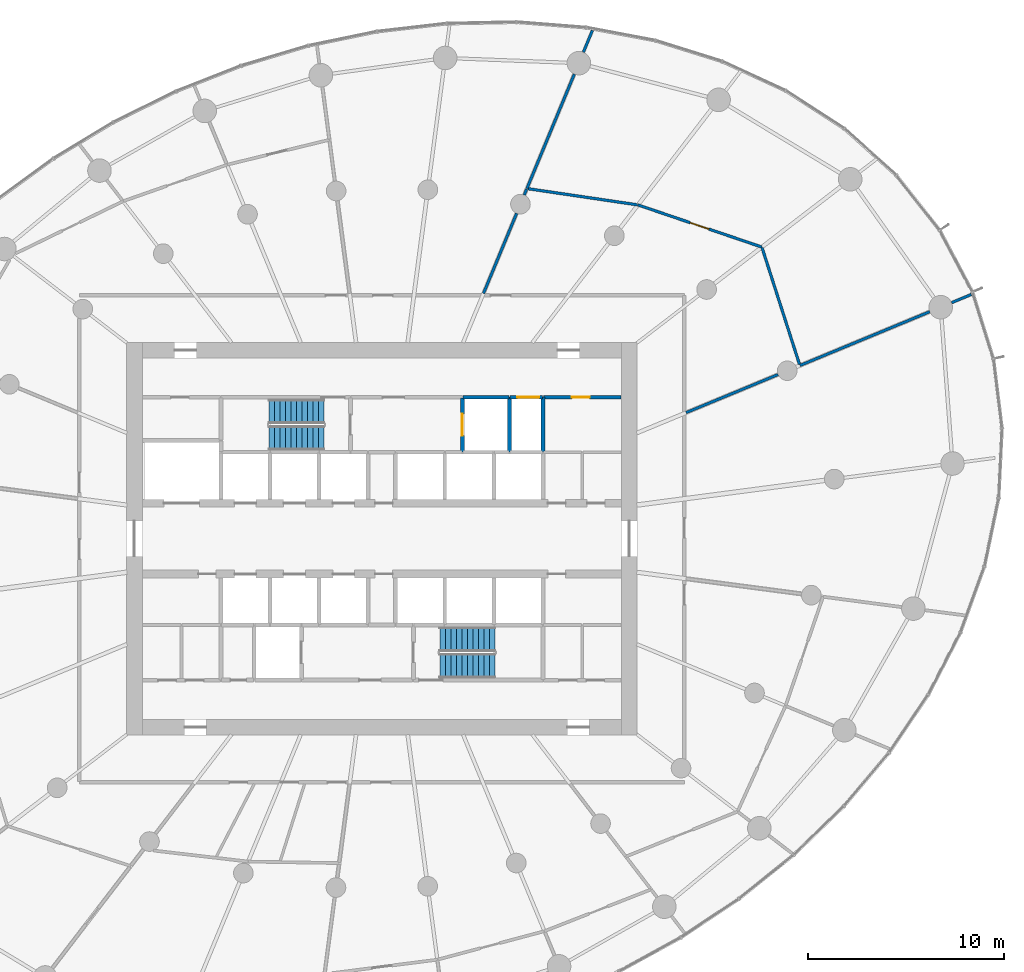
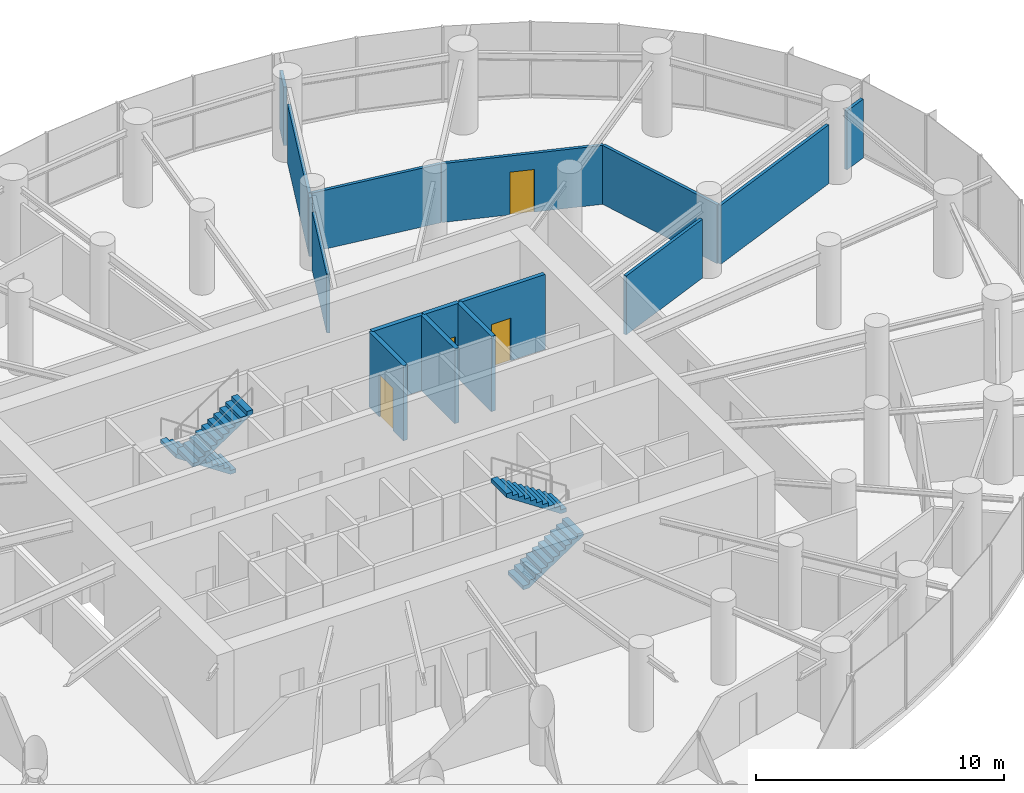
# One storey, part 14 of 17: 16 walls, 4 doors, 4 stair flights, 4 openings, 2 elements without a shape of their own.
"""IFC4 building model written with IfcOpenShell, lengths in metres."""

from ifc_helpers import new_model, si_unit, direction, frame, frame_2d, origin, place, context, subcontext, project, spatial, line, indexed_curve, rectangle, outline, extrude, source, transform, mapped, material, layer, layer_set, type_object, element, fill, aggregate, save


model = new_model("IFC4")

# Units and contexts
model_context = context("Model", 3, precision=1e-05, world=origin(), true_north=direction((0.0, 1.0)))
body_context = subcontext(model_context, "Body", "Model", "MODEL_VIEW")
ifc_project = project(units=[si_unit("LENGTHUNIT", "METRE"), si_unit("AREAUNIT", "SQUARE_METRE"), si_unit("VOLUMEUNIT", "CUBIC_METRE"), si_unit("PLANEANGLEUNIT", "RADIAN"), si_unit("MASSUNIT", "GRAM", prefix="KILO")], contexts=[model_context])

# Site, building, storey
site_placement = place(None, origin())
site = spatial("IfcSite", under=ifc_project, at=site_placement, CompositionType="ELEMENT")
building_placement = place(site_placement, origin())
building = spatial("IfcBuilding", under=site, at=building_placement, Name="Spindrift Exchange Tower", CompositionType="ELEMENT")
storey_placement = place(building_placement, frame((0.0, 0.0, 88.0)))
storey = spatial("IfcBuildingStorey", under=building, at=storey_placement, Name="L20", CompositionType="ELEMENT", Elevation=88.0)

# Wall, opening, door
ifc_material_1 = material(Name="Fire-rated plasterboard partition", Category="gypsum")
ifc_layer_1 = layer(ifc_material_1, 0.179931640625)
ifc_layer_set_1 = layer_set([ifc_layer_1], Name="W-CORR-180")
wall_type_1 = type_object("IfcWallType", Name="W-CORR-180", PredefinedType="PARTITIONING", material=ifc_layer_set_1)
wall_1_placement = place(storey_placement, frame((64.179931640625, 55.199951171875, 0.0), z_axis=(0.0, 0.0, 1.0), x_axis=(-1.0, 0.0, 0.0)))
wall_1 = element("IfcWall", 1, at=wall_1_placement, inside=storey, type_object=wall_type_1, Name="L20 Partition wall 62", PredefinedType="PARTITIONING", context=body_context, shape_type="SweptSolid", body=[
    extrude(rectangle(XDim=3.949951171875, YDim=0.179931640625, at=frame_2d((1.97509765625, 0.0))), origin(), (0.0, 0.0, 1.0), 3.699951171875),
])
opening_1_placement = place(wall_1_placement, frame((1.60009765625, 0.0, 0.0)))
opening_1 = element("IfcOpeningElement", 2, at=opening_1_placement, cuts=wall_1, Name="Opening L20-D57", PredefinedType="OPENING", context=body_context, shape_type="SweptSolid", body=[
    extrude(rectangle(XDim=0.89990234375, YDim=2.10009765625, at=frame_2d((0.449951171875, 1.050048828125))), frame((0.0, 0.099853515625, 0.0), z_axis=(0.0, -1.0, 0.0), x_axis=(1.0, 0.0, 0.0)), (0.0, 0.0, 1.0), 0.199951171875),
])
ifc_material_2 = material(Name="Steel access door", Category="steel")
door_type_1 = type_object("IfcDoorType", Name="DR-RISER-900", OperationType="NOTDEFINED", PredefinedType="DOOR", material=ifc_material_2)
shared_shape_1 = source(origin(), body_context, "Body", "SweptSolid", [
    extrude(rectangle(XDim=0.89990234375, YDim=2.10009765625, at=frame_2d((0.449951171875, 1.050048828125))), frame((0.0, 0.02490234375, 0.0), z_axis=(0.0, -1.0, 0.0), x_axis=(1.0, 0.0, 0.0)), (0.0, 0.0, 1.0), 0.050048828125),
])
door_1_placement = place(opening_1_placement, origin())
door_1 = element("IfcDoor", 3, at=door_1_placement, inside=storey, type_object=door_type_1, Name="L20 Riser door 57", OperationType="SINGLE_SWING_RIGHT", OverallHeight=2.10009765625, OverallWidth=0.89990234375, PredefinedType="DOOR", context=body_context, shape_type="MappedRepresentation", body=[
    mapped(shared_shape_1, transform((0.0, 0.0, 0.0), scale=1.0)),
])
fill(opening_1, door_1)

# Wall
ifc_layer_2 = layer(ifc_material_1, 0.139892578125)
ifc_layer_set_2 = layer_set([ifc_layer_2], Name="W-PLANT-140")
wall_type_2 = type_object("IfcWallType", Name="W-PLANT-140", PredefinedType="PARTITIONING", material=ifc_layer_set_2)
wall_2_placement = place(storey_placement, frame((73.283447265625, 56.81591796875, 0.0), z_axis=(0.0, 0.0, 1.0), x_axis=(0.923877154041, 0.38268917445, 0.0)))
element("IfcWall", 4, at=wall_2_placement, inside=storey, type_object=wall_type_2, Name="L20 Partition wall 66", PredefinedType="PARTITIONING", context=body_context, shape_type="SweptSolid", body=[
    extrude(rectangle(XDim=7.157958984375, YDim=0.139892578125, at=frame_2d((3.5791015625, 0.0))), origin(), (0.0, 0.0, 1.0), 2.89990234375),
])

# Wall, opening, door
wall_3_placement = place(storey_placement, frame((65.03955078125, 64.993408203125, 0.0), z_axis=(0.0, 0.0, 1.0), x_axis=(0.946663935719, -0.32222258271, 0.0)))
wall_3 = element("IfcWall", 5, at=wall_3_placement, inside=storey, type_object=wall_type_2, Name="L20 Partition wall 67", PredefinedType="PARTITIONING", context=body_context, shape_type="SweptSolid", body=[
    extrude(rectangle(XDim=6.663818359375, YDim=0.139892578125, at=frame_2d((3.33203125, 0.0))), origin(), (0.0, 0.0, 1.0), 2.89990234375),
])
opening_2_placement = place(wall_3_placement, frame((2.813720703125, 0.0, 0.0)))
opening_2 = element("IfcOpeningElement", 6, at=opening_2_placement, cuts=wall_3, Name="Opening L20-D38", PredefinedType="OPENING", context=body_context, shape_type="SweptSolid", body=[
    extrude(rectangle(XDim=1.0, YDim=2.10009765625, at=frame_2d((0.5, 1.050048828125))), frame((0.0, 0.079833984375, 0.0), z_axis=(0.0, -1.0, 0.0), x_axis=(1.0, 0.0, 0.0)), (0.0, 0.0, 1.0), 0.159912109375),
])
ifc_material_3 = material(Name="Timber-core fire door", Category="wood")
door_type_2 = type_object("IfcDoorType", Name="DR-ROOM-1000", OperationType="NOTDEFINED", PredefinedType="DOOR", material=ifc_material_3)
shared_shape_2 = source(origin(), body_context, "Body", "SweptSolid", [
    extrude(rectangle(XDim=1.0, YDim=2.10009765625, at=frame_2d((0.5, 1.050048828125))), frame((0.0, 0.02490234375, 0.0), z_axis=(0.0, -1.0, 0.0), x_axis=(1.0, 0.0, 0.0)), (0.0, 0.0, 1.0), 0.050048828125),
])
door_2_placement = place(opening_2_placement, origin())
door_2 = element("IfcDoor", 7, at=door_2_placement, inside=storey, type_object=door_type_2, Name="L20 Door 38", OperationType="SINGLE_SWING_LEFT", OverallHeight=2.10009765625, OverallWidth=1.0, PredefinedType="DOOR", context=body_context, shape_type="MappedRepresentation", body=[
    mapped(shared_shape_2, transform((0.0, 0.0, 0.0), scale=1.0)),
])
fill(opening_2, door_2)

# Walls
wall_4_placement = place(storey_placement, frame((73.261962890625, 56.8828125, 0.0), z_axis=(0.0, 0.0, 1.0), x_axis=(-0.305632594526, 0.952149524583, 0.0)))
element("IfcWall", 8, at=wall_4_placement, inside=storey, type_object=wall_type_2, Name="L20 Partition wall 70", PredefinedType="PARTITIONING", context=body_context, shape_type="SweptSolid", body=[
    extrude(rectangle(XDim=6.233154296875, YDim=0.139892578125, at=frame_2d((3.11669921875, 0.0))), origin(), (0.0, 0.0, 1.0), 2.89990234375),
])
wall_5_placement = place(storey_placement, frame((59.384521484375, 65.827392578125, 0.0), z_axis=(0.0, 0.0, 1.0), x_axis=(0.382670932917, 0.923884709853, 0.0)))
element("IfcWall", 9, at=wall_5_placement, inside=storey, type_object=wall_type_2, Name="L20 Partition wall 71", PredefinedType="PARTITIONING", context=body_context, shape_type="SweptSolid", body=[
    extrude(rectangle(XDim=6.305908203125, YDim=0.139892578125, at=frame_2d((3.15283203125, 0.0))), origin(), (0.0, 0.0, 1.0), 2.89990234375),
])
wall_6_placement = place(storey_placement, frame((65.010009765625, 64.997802734375, 0.0), z_axis=(0.0, 0.0, 1.0), x_axis=(-0.989300140494, 0.145894592148, 0.0)))
element("IfcWall", 10, at=wall_6_placement, inside=storey, type_object=wall_type_2, Name="L20 Partition wall 81", PredefinedType="PARTITIONING", context=body_context, shape_type="SweptSolid", body=[
    extrude(rectangle(XDim=5.6142578125, YDim=0.139892578125, at=frame_2d((2.80712890625, 0.0))), origin(), (0.0, 0.0, 1.0), 2.89990234375),
])
wall_7_placement = place(storey_placement, frame((67.489990234375, 54.416259765625, 0.0), z_axis=(0.0, 0.0, 1.0), x_axis=(0.923890025086, 0.382658100067, 0.0)))
element("IfcWall", 11, at=wall_7_placement, inside=storey, type_object=wall_type_2, Name="L20 Partition wall 89", PredefinedType="PARTITIONING", context=body_context, shape_type="SweptSolid", body=[
    extrude(rectangle(XDim=5.068359375, YDim=0.139892578125, at=frame_2d((2.5341796875, 0.0))), origin(), (0.0, 0.0, 1.0), 2.89990234375),
])
wall_8_placement = place(storey_placement, frame((57.173583984375, 60.489990234375, 0.0), z_axis=(0.0, 0.0, 1.0), x_axis=(0.382672831764, 0.923883923353, 0.0)))
element("IfcWall", 12, at=wall_8_placement, inside=storey, type_object=wall_type_2, Name="L20 Partition wall 94", PredefinedType="PARTITIONING", context=body_context, shape_type="SweptSolid", body=[
    extrude(rectangle(XDim=4.410400390625, YDim=0.139892578125, at=frame_2d((2.205078125, 0.0))), origin(), (0.0, 0.0, 1.0), 2.89990234375),
])
wall_9_placement = place(storey_placement, frame((62.260498046875, 72.77099609375, 0.0), z_axis=(0.0, 0.0, 1.0), x_axis=(0.382680855588, 0.923880599843, 0.0)))
element("IfcWall", 13, at=wall_9_placement, inside=storey, type_object=wall_type_2, Name="L20 Partition wall 130", PredefinedType="PARTITIONING", context=body_context, shape_type="SweptSolid", body=[
    extrude(rectangle(XDim=1.201416015625, YDim=0.139892578125, at=frame_2d((0.6005859375, 0.0))), origin(), (0.0, 0.0, 1.0), 2.89990234375),
])
wall_10_placement = place(storey_placement, frame((81.014404296875, 60.018310546875, 0.0), z_axis=(0.0, 0.0, 1.0), x_axis=(0.923956302996, 0.382498039412, 0.0)))
element("IfcWall", 14, at=wall_10_placement, inside=storey, type_object=wall_type_2, Name="L20 Partition wall 134", PredefinedType="PARTITIONING", context=body_context, shape_type="SweptSolid", body=[
    extrude(rectangle(XDim=1.081298828125, YDim=0.139892578125, at=frame_2d((0.54052734375, 0.0))), origin(), (0.0, 0.0, 1.0), 2.89990234375),
])
wall_11_placement = place(storey_placement, frame((59.247802734375, 65.497802734375, 0.0), z_axis=(0.0, 0.0, 1.0), x_axis=(0.382439756991, 0.923980428512, 0.0)))
element("IfcWall", 15, at=wall_11_placement, inside=storey, type_object=wall_type_2, Name="L20 Partition wall 148", PredefinedType="PARTITIONING", context=body_context, shape_type="SweptSolid", body=[
    extrude(rectangle(XDim=0.326904296875, YDim=0.139892578125, at=frame_2d((0.16357421875, 0.0))), origin(), (0.0, 0.0, 1.0), 2.89990234375),
])

# Wall, opening, door
ifc_material_4 = material(Name="Concrete 40 MPa", Category="concrete")
ifc_layer_3 = layer(ifc_material_4, 0.199951171875)
ifc_layer_set_3 = layer_set([ifc_layer_3], Name="W-SHAFT-200")
wall_type_3 = type_object("IfcWallType", Name="W-SHAFT-200", PredefinedType="SOLIDWALL", material=ifc_layer_set_3)
wall_12_placement = place(storey_placement, frame((56.10009765625, 55.169921875, 0.0), z_axis=(0.0, 0.0, 1.0), x_axis=(0.0, -1.0, 0.0)))
wall_12 = element("IfcWall", 16, at=wall_12_placement, inside=storey, type_object=wall_type_3, Name="L20 Shaft wall 12", PredefinedType="SOLIDWALL", context=body_context, shape_type="SweptSolid", body=[
    extrude(rectangle(XDim=2.77001953125, YDim=0.199951171875, at=frame_2d((1.385009765625, 0.0))), origin(), (0.0, 0.0, 1.0), 3.699951171875),
])
opening_3_placement = place(wall_12_placement, frame((0.820068359375, 0.0, 0.0)))
opening_3 = element("IfcOpeningElement", 17, at=opening_3_placement, cuts=wall_12, Name="Opening L20-D9", PredefinedType="OPENING", context=body_context, shape_type="SweptSolid", body=[
    extrude(rectangle(XDim=1.10009765625, YDim=2.10009765625, at=frame_2d((0.550048828125, 1.050048828125))), frame((0.0, 0.10986328125, 0.0), z_axis=(0.0, -1.0, 0.0), x_axis=(1.0, 0.0, 0.0)), (0.0, 0.0, 1.0), 0.219970703125),
])
ifc_material_5 = material(Name="Stainless steel landing door", Category="steel")
door_type_3 = type_object("IfcDoorType", Name="DR-LANDING-1100-SL", OperationType="DOUBLE_DOOR_SLIDING", PredefinedType="USERDEFINED", material=ifc_material_5)
shared_shape_3 = source(origin(), body_context, "Body", "SweptSolid", [
    extrude(rectangle(XDim=1.10009765625, YDim=2.10009765625, at=frame_2d((0.550048828125, 1.050048828125))), frame((0.0, 0.02490234375, 0.0), z_axis=(0.0, -1.0, 0.0), x_axis=(1.0, 0.0, 0.0)), (0.0, 0.0, 1.0), 0.050048828125),
])
door_3_placement = place(opening_3_placement, origin())
door_3 = element("IfcDoor", 18, at=door_3_placement, inside=storey, type_object=door_type_3, Name="L20 Lift landing door 9", ObjectType="LANDING DOOR", OperationType="DOUBLE_DOOR_SLIDING", OverallHeight=2.10009765625, OverallWidth=1.10009765625, PredefinedType="USERDEFINED", context=body_context, shape_type="MappedRepresentation", body=[
    mapped(shared_shape_3, transform((0.0, 0.0, 0.0), scale=1.0)),
])
fill(opening_3, door_3)

# Walls
for number, where, z_axis, x_axis, name in (
    (19, (58.5, 52.39990234375, 0.0), (0.0, 0.0, 1.0), (0.0, 1.0, 0.0), "L20 Shaft wall 13"),
    (20, (60.199951171875, 52.39990234375, 0.0), (0.0, 0.0, 1.0), (0.0, 1.0, 0.0), "L20 Shaft wall 14"),
):
    element("IfcWall", number, at=place(storey_placement, frame(where, z_axis=z_axis, x_axis=x_axis)), inside=storey, type_object=wall_type_3, Name=name, PredefinedType="SOLIDWALL", context=body_context, shape_type="SweptSolid", body=[
        extrude(rectangle(XDim=2.800048828125, YDim=0.199951171875, at=frame_2d((1.39990234375, 0.0))), origin(), (0.0, 0.0, 1.0), 3.699951171875),
    ])
wall_13_placement = place(storey_placement, frame((58.469970703125, 55.199951171875, 0.0), z_axis=(0.0, 0.0, 1.0), x_axis=(-1.0, 0.0, 0.0)))
element("IfcWall", 21, at=wall_13_placement, inside=storey, type_object=wall_type_3, Name="L20 Shaft wall 22", PredefinedType="SOLIDWALL", context=body_context, shape_type="SweptSolid", body=[
    extrude(rectangle(XDim=2.340087890625, YDim=0.199951171875, at=frame_2d((1.169921875, 0.0))), origin(), (0.0, 0.0, 1.0), 3.699951171875),
])

# Wall, opening, door
wall_14_placement = place(storey_placement, frame((60.169921875, 55.199951171875, 0.0), z_axis=(0.0, 0.0, 1.0), x_axis=(-1.0, 0.0, 0.0)))
wall_14 = element("IfcWall", 22, at=wall_14_placement, inside=storey, type_object=wall_type_3, Name="L20 Shaft wall 43", PredefinedType="SOLIDWALL", context=body_context, shape_type="SweptSolid", body=[
    extrude(rectangle(XDim=1.639892578125, YDim=0.199951171875, at=frame_2d((0.81982421875, 0.0))), origin(), (0.0, 0.0, 1.0), 3.699951171875),
])
opening_4_placement = place(wall_14_placement, frame((0.169921875, 0.0, 0.0)))
opening_4 = element("IfcOpeningElement", 23, at=opening_4_placement, cuts=wall_14, Name="Opening L20-D11", PredefinedType="OPENING", context=body_context, shape_type="SweptSolid", body=[
    extrude(rectangle(XDim=1.10009765625, YDim=2.10009765625, at=frame_2d((0.550048828125, 1.050048828125))), frame((0.0, 0.10986328125, 0.0), z_axis=(0.0, -1.0, 0.0), x_axis=(1.0, 0.0, 0.0)), (0.0, 0.0, 1.0), 0.219970703125),
])
door_4_placement = place(opening_4_placement, origin())
door_4 = element("IfcDoor", 24, at=door_4_placement, inside=storey, type_object=door_type_3, Name="L20 Lift landing door 11", ObjectType="LANDING DOOR", OperationType="DOUBLE_DOOR_SLIDING", OverallHeight=2.10009765625, OverallWidth=1.10009765625, PredefinedType="USERDEFINED", context=body_context, shape_type="MappedRepresentation", body=[
    mapped(shared_shape_3, transform((0.0, 0.0, 0.0), scale=1.0)),
])
fill(opening_4, door_4)

# Stair, stair flights
ifc_material_6 = material(Name="Concrete 50 MPa", Category="concrete")
stair_type = type_object("IfcStairType", Name="ST-1250-R186", PredefinedType="HALF_TURN_STAIR", material=ifc_material_6)
stair_1_placement = place(storey_placement, origin())
stair_1 = element("IfcStair", 25, at=stair_1_placement, inside=storey, type_object=stair_type, Name="L20 Exit stair ST1", PredefinedType="HALF_TURN_STAIR")
stair_flight_type = type_object("IfcStairFlightType", Name="STF-1250-R186", PredefinedType="STRAIGHT", material=ifc_material_6)
stair_flight_1_placement = place(storey_placement, frame((49.050048828125, 54.47509765625, 0.0), z_axis=(0.0, 0.0, 1.0), x_axis=(-1.0, 0.0, 0.0)))
stair_flight_1 = element("IfcStairFlight", 26, at=stair_flight_1_placement, type_object=stair_flight_type, Name="ST1 flight 1", NumberOfRisers=11, NumberOfTreads=10, PredefinedType="STRAIGHT", RiserHeight=0.186363636, TreadLength=0.28, context=body_context, shape_type="SweptSolid", body=[
    extrude(outline(indexed_curve([(0.0, 0.0), (0.0, 0.1865234375), (0.2802734375, 0.1865234375), (0.2802734375, 0.373046875), (0.5595703125, 0.373046875), (0.5595703125, 0.5595703125), (0.83984375, 0.5595703125), (0.83984375, 0.7451171875), (1.1201171875, 0.7451171875), (1.1201171875, 0.931640625), (1.400390625, 0.931640625), (1.400390625, 1.1181640625), (1.6796875, 1.1181640625), (1.6796875, 1.3046875), (1.9599609375, 1.3046875), (1.9599609375, 1.4912109375), (2.240234375, 1.4912109375), (2.240234375, 1.677734375), (2.51953125, 1.677734375), (2.51953125, 1.86328125), (2.7998046875, 1.86328125), (2.7998046875, 2.0498046875), (2.7998046875, 1.68359375), (0.2705078125, 0.0)], segments=[line(1, 2, 3, 4, 5, 6, 7, 8, 9, 10, 11, 12, 13, 14, 15, 16, 17, 18, 19, 20, 21, 22, 23, 24, 1)], self_intersect=False)), frame((0.0, 0.625, 0.0), z_axis=(0.0, -1.0, 0.0), x_axis=(1.0, 0.0, 0.0)), (0.0, 0.0, 1.0), 1.25),
])
stair_flight_2_placement = place(storey_placement, frame((46.25, 53.125, 2.050048828125), z_axis=(0.0, 0.0, 1.0), x_axis=(1.0, 0.0, 0.0)))
stair_flight_2 = element("IfcStairFlight", 27, at=stair_flight_2_placement, type_object=stair_flight_type, Name="ST1 flight 2", NumberOfRisers=11, NumberOfTreads=10, PredefinedType="STRAIGHT", RiserHeight=0.186363636, TreadLength=0.28, context=body_context, shape_type="SweptSolid", body=[
    extrude(outline(indexed_curve([(0.0, 0.0), (0.0, 0.1865234375), (0.2802734375, 0.1865234375), (0.2802734375, 0.373046875), (0.5595703125, 0.373046875), (0.5595703125, 0.5595703125), (0.83984375, 0.5595703125), (0.83984375, 0.7451171875), (1.1201171875, 0.7451171875), (1.1201171875, 0.931640625), (1.400390625, 0.931640625), (1.400390625, 1.1181640625), (1.6796875, 1.1181640625), (1.6796875, 1.3046875), (1.9599609375, 1.3046875), (1.9599609375, 1.4912109375), (2.240234375, 1.4912109375), (2.240234375, 1.677734375), (2.51953125, 1.677734375), (2.51953125, 1.86328125), (2.7998046875, 1.86328125), (2.7998046875, 2.0498046875), (2.7998046875, 1.68359375), (0.2705078125, 0.0)], segments=[line(1, 2, 3, 4, 5, 6, 7, 8, 9, 10, 11, 12, 13, 14, 15, 16, 17, 18, 19, 20, 21, 22, 23, 24, 1)], self_intersect=False)), frame((0.0, 0.625, 0.0), z_axis=(0.0, -1.0, 0.0), x_axis=(1.0, 0.0, 0.0)), (0.0, 0.0, 1.0), 1.25),
])
aggregate(stair_1, [stair_flight_1, stair_flight_2])

stair_2_placement = place(storey_placement, origin())
stair_2 = element("IfcStair", 28, at=stair_2_placement, inside=storey, type_object=stair_type, Name="L20 Exit stair ST2", PredefinedType="HALF_TURN_STAIR")
stair_flight_3_placement = place(storey_placement, frame((54.949951171875, 41.52490234375, 0.0), z_axis=(0.0, 0.0, 1.0), x_axis=(1.0, 0.0, 0.0)))
stair_flight_3 = element("IfcStairFlight", 29, at=stair_flight_3_placement, type_object=stair_flight_type, Name="ST2 flight 1", NumberOfRisers=11, NumberOfTreads=10, PredefinedType="STRAIGHT", RiserHeight=0.186363636, TreadLength=0.28, context=body_context, shape_type="SweptSolid", body=[
    extrude(outline(indexed_curve([(0.0, 0.0), (0.0, 0.1865234375), (0.2802734375, 0.1865234375), (0.2802734375, 0.373046875), (0.5595703125, 0.373046875), (0.5595703125, 0.5595703125), (0.83984375, 0.5595703125), (0.83984375, 0.7451171875), (1.1201171875, 0.7451171875), (1.1201171875, 0.931640625), (1.400390625, 0.931640625), (1.400390625, 1.1181640625), (1.6796875, 1.1181640625), (1.6796875, 1.3046875), (1.9599609375, 1.3046875), (1.9599609375, 1.4912109375), (2.240234375, 1.4912109375), (2.240234375, 1.677734375), (2.51953125, 1.677734375), (2.51953125, 1.86328125), (2.7998046875, 1.86328125), (2.7998046875, 2.0498046875), (2.7998046875, 1.68359375), (0.2705078125, 0.0)], segments=[line(1, 2, 3, 4, 5, 6, 7, 8, 9, 10, 11, 12, 13, 14, 15, 16, 17, 18, 19, 20, 21, 22, 23, 24, 1)], self_intersect=False)), frame((0.0, 0.625, 0.0), z_axis=(0.0, -1.0, 0.0), x_axis=(1.0, 0.0, 0.0)), (0.0, 0.0, 1.0), 1.25),
])
stair_flight_4_placement = place(storey_placement, frame((57.75, 42.875, 2.050048828125), z_axis=(0.0, 0.0, 1.0), x_axis=(-1.0, 0.0, 0.0)))
stair_flight_4 = element("IfcStairFlight", 30, at=stair_flight_4_placement, type_object=stair_flight_type, Name="ST2 flight 2", NumberOfRisers=11, NumberOfTreads=10, PredefinedType="STRAIGHT", RiserHeight=0.186363636, TreadLength=0.28, context=body_context, shape_type="SweptSolid", body=[
    extrude(outline(indexed_curve([(0.0, 0.0), (0.0, 0.1865234375), (0.2802734375, 0.1865234375), (0.2802734375, 0.373046875), (0.5595703125, 0.373046875), (0.5595703125, 0.5595703125), (0.83984375, 0.5595703125), (0.83984375, 0.7451171875), (1.1201171875, 0.7451171875), (1.1201171875, 0.931640625), (1.400390625, 0.931640625), (1.400390625, 1.1181640625), (1.6796875, 1.1181640625), (1.6796875, 1.3046875), (1.9599609375, 1.3046875), (1.9599609375, 1.4912109375), (2.240234375, 1.4912109375), (2.240234375, 1.677734375), (2.51953125, 1.677734375), (2.51953125, 1.86328125), (2.7998046875, 1.86328125), (2.7998046875, 2.0498046875), (2.7998046875, 1.68359375), (0.2705078125, 0.0)], segments=[line(1, 2, 3, 4, 5, 6, 7, 8, 9, 10, 11, 12, 13, 14, 15, 16, 17, 18, 19, 20, 21, 22, 23, 24, 1)], self_intersect=False)), frame((0.0, 0.625, 0.0), z_axis=(0.0, -1.0, 0.0), x_axis=(1.0, 0.0, 0.0)), (0.0, 0.0, 1.0), 1.25),
])
aggregate(stair_2, [stair_flight_3, stair_flight_4])

save(model, "model.ifc")
